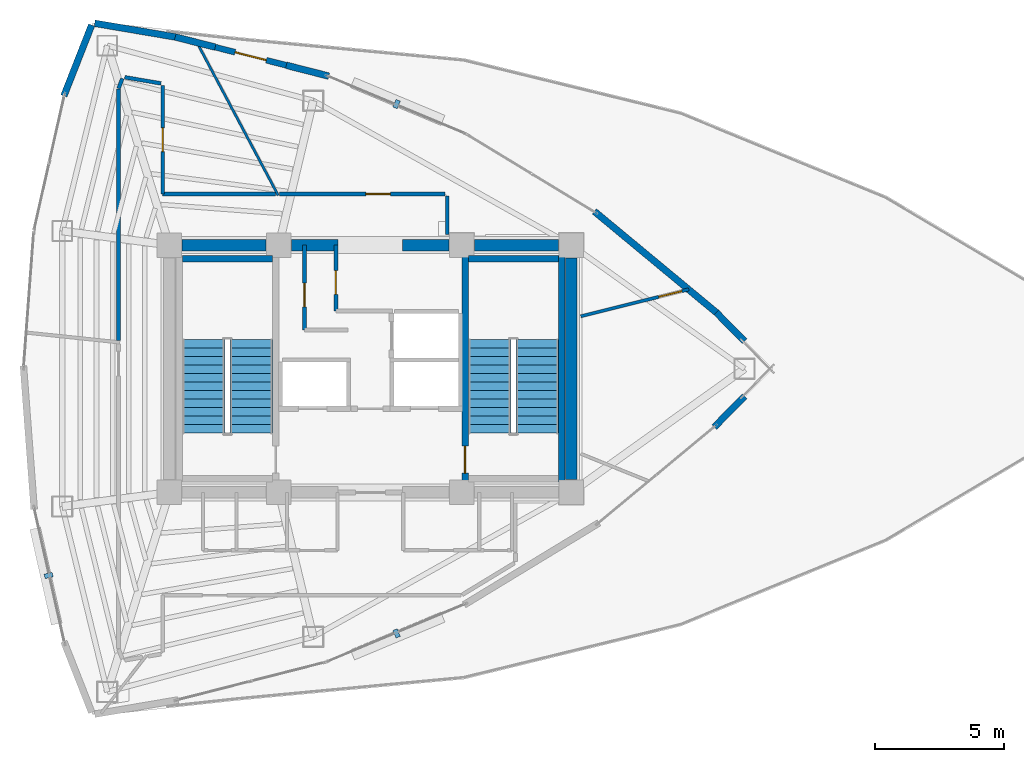
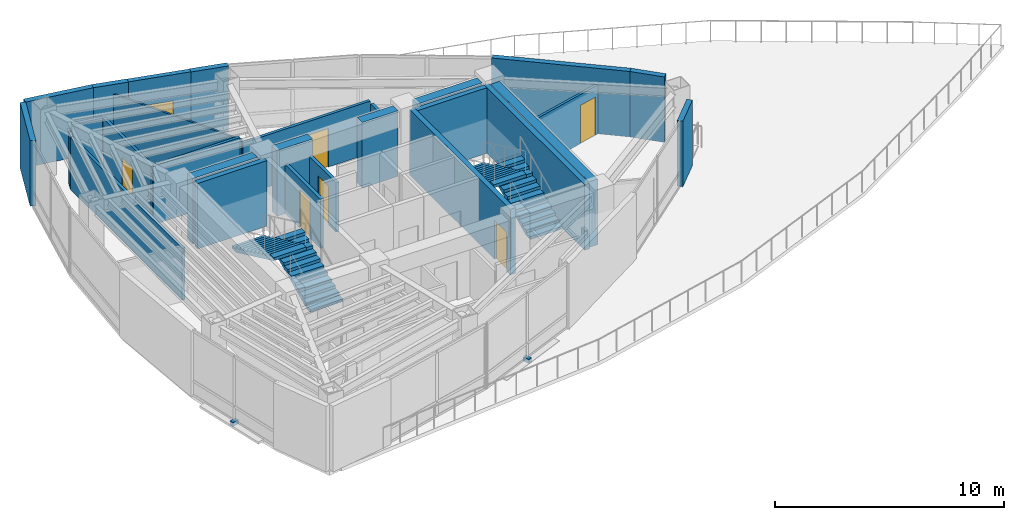
# One storey, part 13 of 16: 28 walls, 7 doors, 4 stair flights, 3 discrete accessories, 7 openings, 2 elements without a shape of their own.
"""IFC4 building model written with IfcOpenShell, lengths in metres."""

from ifc_helpers import new_model, si_unit, direction, frame, frame_2d, origin, origin_2d, place, context, subcontext, project, spatial, polyline, rectangle, outline, extrude, material, layer, layer_set, type_object, element, fill, aggregate, save


model = new_model("IFC4")

# Units and contexts
model_context = context("Model", 3, precision=1e-05, world=origin(), true_north=direction((0.0, 1.0)))
body_context = subcontext(model_context, "Body", "Model", "MODEL_VIEW")
ifc_project = project(units=[si_unit("LENGTHUNIT", "METRE"), si_unit("AREAUNIT", "SQUARE_METRE"), si_unit("VOLUMEUNIT", "CUBIC_METRE"), si_unit("PLANEANGLEUNIT", "RADIAN"), si_unit("MASSUNIT", "GRAM", prefix="KILO")], contexts=[model_context])

# Site, building, storey
site_placement = place(None, origin())
site = spatial("IfcSite", under=ifc_project, at=site_placement, CompositionType="ELEMENT")
building_placement = place(site_placement, origin())
building = spatial("IfcBuilding", under=site, at=building_placement, Name="Menara Vayukalpa", CompositionType="ELEMENT")
storey_placement = place(building_placement, frame((0.0, 0.0, 247.139892578125)))
storey = spatial("IfcBuildingStorey", under=building, at=storey_placement, Name="L62", CompositionType="ELEMENT", Elevation=247.139892578125)

# Walls
ifc_material_1 = material(Name="Concrete C50/60", Category="concrete")
ifc_layer_1 = layer(ifc_material_1, 0.449951171875)
ifc_layer_set_1 = layer_set([ifc_layer_1], Name="Concrete C50/60")
wall_type_1 = type_object("IfcWallType", Name="WAL-CW450", PredefinedType="SHEAR", material=ifc_layer_set_1)
wall_1_placement = place(storey_placement, frame((18.294921875, 26.800048828125, 0.0), z_axis=(0.0, 0.0, 1.0), x_axis=(1.0, 0.0, 0.0)))
element("IfcWall", 1, at=wall_1_placement, inside=storey, type_object=wall_type_1, Name="L62 Buttressed Core Shear Wall CWN1", PredefinedType="SHEAR", context=body_context, shape_type="SweptSolid", body=[
    extrude(rectangle(XDim=3.260009765625, YDim=0.449951171875, at=frame_2d((1.6298828125, 0.0))), origin(), (0.0, 0.0, 1.0), 3.5),
])
wall_2_placement = place(storey_placement, frame((22.544921875, 26.800048828125, 0.0), z_axis=(0.0, 0.0, 1.0), x_axis=(1.0, 0.0, 0.0)))
element("IfcWall", 2, at=wall_2_placement, inside=storey, type_object=wall_type_1, Name="L62 Buttressed Core Shear Wall CWN2", PredefinedType="SHEAR", context=body_context, shape_type="SweptSolid", body=[
    extrude(rectangle(XDim=1.80517578125, YDim=0.449951171875, at=frame_2d((0.902587890625, 0.0))), origin(), (0.0, 0.0, 1.0), 3.5),
])
wall_3_placement = place(storey_placement, frame((26.85009765625, 26.800048828125, 0.0), z_axis=(0.0, 0.0, 1.0), x_axis=(1.0, 0.0, 0.0)))
element("IfcWall", 3, at=wall_3_placement, inside=storey, type_object=wall_type_1, Name="L62 Buttressed Core Shear Wall CWN3", PredefinedType="SHEAR", context=body_context, shape_type="SweptSolid", body=[
    extrude(rectangle(XDim=1.804931640625, YDim=0.449951171875, at=frame_2d((0.90234375, 0.0))), origin(), (0.0, 0.0, 1.0), 3.5),
])
wall_4_placement = place(storey_placement, frame((29.64501953125, 26.800048828125, 0.0), z_axis=(0.0, 0.0, 1.0), x_axis=(1.0, 0.0, 0.0)))
element("IfcWall", 4, at=wall_4_placement, inside=storey, type_object=wall_type_1, Name="L62 Buttressed Core Shear Wall CWN4", PredefinedType="SHEAR", context=body_context, shape_type="SweptSolid", body=[
    extrude(rectangle(XDim=3.260009765625, YDim=0.449951171875, at=frame_2d((1.6298828125, 0.0))), origin(), (0.0, 0.0, 1.0), 3.5),
])
wall_5_placement = place(storey_placement, frame((33.39990234375, 17.695068359375, 0.0), z_axis=(0.0, 0.0, 1.0), x_axis=(0.0, 1.0, 0.0)))
element("IfcWall", 5, at=wall_5_placement, inside=storey, type_object=wall_type_1, Name="L62 Buttressed Core Shear Wall CWE1", PredefinedType="SHEAR", context=body_context, shape_type="SweptSolid", body=[
    extrude(rectangle(XDim=8.60986328125, YDim=0.449951171875, at=frame_2d((4.304931640625, 0.0))), origin(), (0.0, 0.0, 1.0), 3.5),
])

# Wall, opening, door
ifc_material_2 = material(Name="Insulated Precast Concrete C40/50", Category="concrete")
ifc_layer_2 = layer(ifc_material_2, 0.22998046875)
ifc_layer_set_2 = layer_set([ifc_layer_2], Name="Insulated Precast Concrete C40/50")
wall_type_2 = type_object("IfcWallType", Name="WAL-EXT230", PredefinedType="PARTITIONING", material=ifc_layer_set_2)
wall_6_placement = place(storey_placement, frame((19.564208984375, 34.486083984375, 0.0), z_axis=(0.0, 0.0, 1.0), x_axis=(0.968966245317, -0.247193073198, 0.0)))
wall_6 = element("IfcWall", 6, at=wall_6_placement, inside=storey, type_object=wall_type_2, Name="L62 Sky Terrace Access Wall", PredefinedType="PARTITIONING", context=body_context, shape_type="SweptSolid", body=[
    extrude(rectangle(XDim=2.8720703125, YDim=0.22998046875, at=frame_2d((1.43603515625, 0.0))), origin(), (0.0, 0.0, 1.0), 3.5),
])
opening_1_placement = place(wall_6_placement, frame((0.81103515625, 0.0, 0.0)))
opening_1 = element("IfcOpeningElement", 7, at=opening_1_placement, cuts=wall_6, Name="Opening ED3", PredefinedType="OPENING", context=body_context, shape_type="SweptSolid", body=[
    extrude(rectangle(XDim=1.25, YDim=2.10009765625, at=frame_2d((0.625, 1.050048828125))), frame((0.0, 0.125, 0.0), z_axis=(0.0, -1.0, 0.0), x_axis=(1.0, 0.0, 0.0)), (0.0, 0.0, 1.0), 0.25),
])
ifc_material_3 = material(Name="Thermally Broken Aluminium Terrace Door", Category="aluminium")
door_type_1 = type_object("IfcDoorType", Name="DR-EX125", OperationType="NOTDEFINED", PredefinedType="DOOR", material=ifc_material_3)
door_1_placement = place(opening_1_placement, origin())
door_1 = element("IfcDoor", 8, at=door_1_placement, inside=storey, type_object=door_type_1, Name="L62 Outdoor Sky Terrace Access Door", OperationType="SINGLE_SWING_RIGHT", OverallHeight=2.10009765625, OverallWidth=1.25, PredefinedType="DOOR", context=body_context, shape_type="SweptSolid", body=[
    extrude(rectangle(XDim=1.25, YDim=2.10009765625, at=frame_2d((0.625, 1.050048828125))), frame((0.0, 0.02490234375, 0.0), z_axis=(0.0, -1.0, 0.0), x_axis=(1.0, 0.0, 0.0)), (0.0, 0.0, 1.0), 0.050048828125),
])
fill(opening_1, door_1)

# Walls
ifc_material_4 = material(Name="Insulated Precast Concrete C40/50", Category="concrete")
ifc_layer_3 = layer(ifc_material_4, 0.260009765625)
ifc_layer_set_3 = layer_set([ifc_layer_3], Name="Insulated Precast Concrete C40/50")
wall_type_3 = type_object("IfcWallType", Name="WAL-EXT260", PredefinedType="PARTITIONING", material=ifc_layer_set_3)
wall_7_placement = place(storey_placement, frame((40.1240234375, 20.932861328125, 0.0), z_axis=(0.0, 0.0, 1.0), x_axis=(-0.700517209169, -0.713635508966, 0.0)))
element("IfcWall", 9, at=wall_7_placement, inside=storey, type_object=wall_type_3, Name="L62 Perimeter Terracotta Pier Wall 01", PredefinedType="PARTITIONING", context=body_context, shape_type="SweptSolid", body=[
    extrude(rectangle(XDim=1.675048828125, YDim=0.260009765625, at=frame_2d((0.83740234375, 0.0))), origin(), (0.0, 0.0, 1.0), 3.5),
])
wall_8_placement = place(storey_placement, frame((39.023681640625, 24.188232421875, 0.0), z_axis=(0.0, 0.0, 1.0), x_axis=(0.700470648387, -0.71368121087, 0.0)))
element("IfcWall", 10, at=wall_8_placement, inside=storey, type_object=wall_type_3, Name="L62 Perimeter Terracotta Pier Wall 02", PredefinedType="PARTITIONING", context=body_context, shape_type="SweptSolid", body=[
    extrude(rectangle(XDim=1.57080078125, YDim=0.260009765625, at=frame_2d((0.785400390625, 0.0))), origin(), (0.0, 0.0, 1.0), 3.5),
])
wall_9_placement = place(storey_placement, frame((34.295166015625, 28.1083984375, 0.0), z_axis=(0.0, 0.0, 1.0), x_axis=(0.769779830138, -0.638309496337, 0.0)))
element("IfcWall", 11, at=wall_9_placement, inside=storey, type_object=wall_type_3, Name="L62 Perimeter Terracotta Pier Wall 03", PredefinedType="PARTITIONING", context=body_context, shape_type="SweptSolid", body=[
    extrude(rectangle(XDim=6.154052734375, YDim=0.260009765625, at=frame_2d((3.0771484375, 0.0))), origin(), (0.0, 0.0, 1.0), 3.5),
])
wall_10_placement = place(storey_placement, frame((22.33544921875, 33.779296875, 0.0), z_axis=(0.0, 0.0, 1.0), x_axis=(0.968986308148, -0.247114416055, 0.0)))
element("IfcWall", 12, at=wall_10_placement, inside=storey, type_object=wall_type_3, Name="L62 Perimeter Terracotta Pier Wall 06", PredefinedType="PARTITIONING", context=body_context, shape_type="SweptSolid", body=[
    extrude(rectangle(XDim=1.705322265625, YDim=0.260009765625, at=frame_2d((0.8525390625, 0.0))), origin(), (0.0, 0.0, 1.0), 3.5),
])
wall_11_placement = place(storey_placement, frame((18.0244140625, 34.878662109375, 0.0), z_axis=(0.0, 0.0, 1.0), x_axis=(0.968974449895, -0.247160910036, 0.0)))
element("IfcWall", 13, at=wall_11_placement, inside=storey, type_object=wall_type_3, Name="L62 Perimeter Terracotta Pier Wall 07", PredefinedType="PARTITIONING", context=body_context, shape_type="SweptSolid", body=[
    extrude(rectangle(XDim=1.60107421875, YDim=0.260009765625, at=frame_2d((0.800537109375, 0.0))), origin(), (0.0, 0.0, 1.0), 3.5),
])
wall_12_placement = place(storey_placement, frame((14.900146484375, 35.40869140625, 0.0), z_axis=(0.0, 0.0, 1.0), x_axis=(0.985889432766, -0.167397808709, 0.0)))
element("IfcWall", 14, at=wall_12_placement, inside=storey, type_object=wall_type_3, Name="L62 Perimeter Terracotta Pier Wall 08", PredefinedType="PARTITIONING", context=body_context, shape_type="SweptSolid", body=[
    extrude(rectangle(XDim=3.180908203125, YDim=0.260009765625, at=frame_2d((1.59033203125, 0.0))), origin(), (0.0, 0.0, 1.0), 3.5),
])
wall_13_placement = place(storey_placement, frame((13.701904296875, 32.5908203125, 0.0), z_axis=(0.0, 0.0, 1.0), x_axis=(0.365529693114, 0.930799679551, 0.0)))
element("IfcWall", 15, at=wall_13_placement, inside=storey, type_object=wall_type_3, Name="L62 Perimeter Terracotta Pier Wall 09", PredefinedType="PARTITIONING", context=body_context, shape_type="SweptSolid", body=[
    extrude(rectangle(XDim=2.95556640625, YDim=0.260009765625, at=frame_2d((1.477783203125, 0.0))), origin(), (0.0, 0.0, 1.0), 3.5),
])

# Wall, opening, door
ifc_material_5 = material(Name="Lightweight Concrete Blockwork C16/20", Category="masonry")
ifc_layer_4 = layer(ifc_material_5, 0.159912109375)
ifc_layer_set_4 = layer_set([ifc_layer_4], Name="Lightweight Concrete Blockwork C16/20")
wall_type_4 = type_object("IfcWallType", Name="WAL-FR150", PredefinedType="PARTITIONING", material=ifc_layer_set_4)
wall_14_placement = place(storey_placement, frame((23.0400390625, 23.5, 0.0), z_axis=(0.0, 0.0, 1.0), x_axis=(0.0, 1.0, 0.0)))
wall_14 = element("IfcWall", 16, at=wall_14_placement, inside=storey, type_object=wall_type_4, Name="L62 Interior Partition IW-L62-LV7WB", PredefinedType="PARTITIONING", context=body_context, shape_type="SweptSolid", body=[
    extrude(rectangle(XDim=3.300048828125, YDim=0.159912109375, at=frame_2d((1.64990234375, 0.0))), origin(), (0.0, 0.0, 1.0), 2.630126953125),
])
opening_2_placement = place(wall_14_placement, frame((0.89990234375, 0.0, 0.0)))
opening_2 = element("IfcOpeningElement", 17, at=opening_2_placement, cuts=wall_14, Name="Opening ID6", PredefinedType="OPENING", context=body_context, shape_type="SweptSolid", body=[
    extrude(rectangle(XDim=0.919921875, YDim=2.050048828125, at=frame_2d((0.4599609375, 1.02490234375))), frame((0.0, 0.08984375, 0.0), z_axis=(0.0, -1.0, 0.0), x_axis=(1.0, 0.0, 0.0)), (0.0, 0.0, 1.0), 0.179931640625),
])
ifc_material_6 = material(Name="Acoustic Hardwood Veneer Timber Door", Category="wood")
door_type_2 = type_object("IfcDoorType", Name="DR-INT92", OperationType="NOTDEFINED", PredefinedType="DOOR", material=ifc_material_6)
door_2_placement = place(opening_2_placement, origin())
door_2 = element("IfcDoor", 18, at=door_2_placement, inside=storey, type_object=door_type_2, Name="L62 Interior Door DR-L62-LV7W", OperationType="SINGLE_SWING_RIGHT", OverallHeight=2.050048828125, OverallWidth=0.919921875, PredefinedType="DOOR", context=body_context, shape_type="SweptSolid", body=[
    extrude(rectangle(XDim=0.919921875, YDim=2.050048828125, at=frame_2d((0.4599609375, 1.02490234375))), frame((0.0, 0.02490234375, 0.0), z_axis=(0.0, -1.0, 0.0), x_axis=(1.0, 0.0, 0.0)), (0.0, 0.0, 1.0), 0.050048828125),
])
fill(opening_2, door_2)

wall_15_placement = place(storey_placement, frame((24.260009765625, 24.239990234375, 0.0), z_axis=(0.0, 0.0, 1.0), x_axis=(0.0, 1.0, 0.0)))
wall_15 = element("IfcWall", 19, at=wall_15_placement, inside=storey, type_object=wall_type_4, Name="L62 Interior Partition IW-L62-LV7EB", PredefinedType="PARTITIONING", context=body_context, shape_type="SweptSolid", body=[
    extrude(rectangle(XDim=2.56005859375, YDim=0.159912109375, at=frame_2d((1.280029296875, 0.0))), origin(), (0.0, 0.0, 1.0), 2.630126953125),
])
opening_3_placement = place(wall_15_placement, frame((0.64990234375, 0.0, 0.0)))
opening_3 = element("IfcOpeningElement", 20, at=opening_3_placement, cuts=wall_15, Name="Opening ID6", PredefinedType="OPENING", context=body_context, shape_type="SweptSolid", body=[
    extrude(rectangle(XDim=0.919921875, YDim=2.050048828125, at=frame_2d((0.4599609375, 1.02490234375))), frame((0.0, 0.08984375, 0.0), z_axis=(0.0, -1.0, 0.0), x_axis=(1.0, 0.0, 0.0)), (0.0, 0.0, 1.0), 0.179931640625),
])
door_3_placement = place(opening_3_placement, origin())
door_3 = element("IfcDoor", 21, at=door_3_placement, inside=storey, type_object=door_type_2, Name="L62 Interior Door DR-L62-LV7E", OperationType="SINGLE_SWING_LEFT", OverallHeight=2.050048828125, OverallWidth=0.919921875, PredefinedType="DOOR", context=body_context, shape_type="SweptSolid", body=[
    extrude(rectangle(XDim=0.919921875, YDim=2.050048828125, at=frame_2d((0.4599609375, 1.02490234375))), frame((0.0, 0.02490234375, 0.0), z_axis=(0.0, -1.0, 0.0), x_axis=(1.0, 0.0, 0.0)), (0.0, 0.0, 1.0), 0.050048828125),
])
fill(opening_3, door_3)

# Wall
ifc_material_7 = material(Name="Glazed Demountable Office Partition", Category="glass")
ifc_layer_5 = layer(ifc_material_7, 0.094970703125)
ifc_layer_set_5 = layer_set([ifc_layer_5], Name="Glazed Demountable Office Partition")
wall_type_5 = type_object("IfcWallType", Name="WAL-PT100", PredefinedType="PARTITIONING", material=ifc_layer_set_5)
wall_16_placement = place(storey_placement, frame((22.021484375, 28.72998046875, 0.0), z_axis=(0.0, 0.0, 1.0), x_axis=(-0.469464454367, 0.882951372435, 0.0)))
element("IfcWall", 22, at=wall_16_placement, inside=storey, type_object=wall_type_5, Name="L62 Interior Partition IW-L62-RDIV02", PredefinedType="PARTITIONING", context=body_context, shape_type="SweptSolid", body=[
    extrude(rectangle(XDim=6.73388671875, YDim=0.094970703125, at=frame_2d((3.366943359375, 0.0))), origin(), (0.0, 0.0, 1.0), 2.980224609375),
])

# Wall, opening, door
ifc_material_8 = material(Name="Gypsum Drywall Steel Stud Assembly", Category="steel")
ifc_layer_6 = layer(ifc_material_8, 0.125)
ifc_layer_set_6 = layer_set([ifc_layer_6], Name="Gypsum Drywall Steel Stud Assembly")
wall_type_6 = type_object("IfcWallType", Name="WAL-PT125", PredefinedType="PARTITIONING", material=ifc_layer_set_6)
wall_17_placement = place(storey_placement, frame((33.77001953125, 24.037109375, 0.0), z_axis=(0.0, 0.0, 1.0), x_axis=(0.970305215228, 0.241883834312, 0.0)))
wall_17 = element("IfcWall", 23, at=wall_17_placement, inside=storey, type_object=wall_type_6, Name="L62 Interior Partition IW-L62-RDIV01", PredefinedType="PARTITIONING", context=body_context, shape_type="SweptSolid", body=[
    extrude(rectangle(XDim=4.31884765625, YDim=0.125, at=frame_2d((2.159423828125, 0.0))), origin(), (0.0, 0.0, 1.0), 2.630126953125),
])
opening_4_placement = place(wall_17_placement, frame((3.118896484375, 0.0, 0.0)))
opening_4 = element("IfcOpeningElement", 24, at=opening_4_placement, cuts=wall_17, Name="Opening ID6", PredefinedType="OPENING", context=body_context, shape_type="SweptSolid", body=[
    extrude(rectangle(XDim=0.919921875, YDim=2.050048828125, at=frame_2d((0.4599609375, 1.02490234375))), frame((0.0, 0.072509765625, 0.0), z_axis=(0.0, -1.0, 0.0), x_axis=(1.0, 0.0, 0.0)), (0.0, 0.0, 1.0), 0.14501953125),
])
door_4_placement = place(opening_4_placement, origin())
door_4 = element("IfcDoor", 25, at=door_4_placement, inside=storey, type_object=door_type_2, Name="L62 Interior Door DR-L62-STE04", OperationType="SINGLE_SWING_LEFT", OverallHeight=2.050048828125, OverallWidth=0.919921875, PredefinedType="DOOR", context=body_context, shape_type="SweptSolid", body=[
    extrude(rectangle(XDim=0.919921875, YDim=2.050048828125, at=frame_2d((0.4599609375, 1.02490234375))), frame((0.0, 0.02490234375, 0.0), z_axis=(0.0, -1.0, 0.0), x_axis=(1.0, 0.0, 0.0)), (0.0, 0.0, 1.0), 0.050048828125),
])
fill(opening_4, door_4)

# Wall
ifc_material_9 = material(Name="Gypsum Drywall Acoustic Stud Assembly", Category="masonry")
ifc_layer_7 = layer(ifc_material_9, 0.14501953125)
ifc_layer_set_7 = layer_set([ifc_layer_7], Name="Gypsum Drywall Acoustic Stud Assembly")
wall_type_7 = type_object("IfcWallType", Name="WAL-PT150", PredefinedType="PARTITIONING", material=ifc_layer_set_7)
wall_18_placement = place(storey_placement, frame((28.580078125, 27.219970703125, 0.0), z_axis=(0.0, 0.0, 1.0), x_axis=(0.0, 1.0, 0.0)))
element("IfcWall", 26, at=wall_18_placement, inside=storey, type_object=wall_type_7, Name="L62 Interior Partition IW-L62-CRM05-1", PredefinedType="PARTITIONING", context=body_context, shape_type="SweptSolid", body=[
    extrude(rectangle(XDim=1.47998046875, YDim=0.14501953125, at=frame_2d((0.739990234375, 0.0))), origin(), (0.0, 0.0, 1.0), 2.630126953125),
])

# Wall, opening, door
wall_19_placement = place(storey_placement, frame((28.5, 28.780029296875, 0.0), z_axis=(0.0, 0.0, 1.0), x_axis=(-1.0, 0.0, 0.0)))
wall_19 = element("IfcWall", 27, at=wall_19_placement, inside=storey, type_object=wall_type_7, Name="L62 Interior Partition IW-L62-CRM05-2", PredefinedType="PARTITIONING", context=body_context, shape_type="SweptSolid", body=[
    extrude(rectangle(XDim=6.42578125, YDim=0.14501953125, at=frame_2d((3.212890625, 0.0))), origin(), (0.0, 0.0, 1.0), 2.780029296875),
])
opening_5_placement = place(wall_19_placement, frame((2.123291015625, 0.0, 0.0)))
opening_5 = element("IfcOpeningElement", 28, at=opening_5_placement, cuts=wall_19, Name="Opening ID5", PredefinedType="OPENING", context=body_context, shape_type="SweptSolid", body=[
    extrude(rectangle(XDim=0.949951171875, YDim=2.06005859375, at=frame_2d((0.47509765625, 1.030029296875))), frame((0.0, 0.08251953125, 0.0), z_axis=(0.0, -1.0, 0.0), x_axis=(1.0, 0.0, 0.0)), (0.0, 0.0, 1.0), 0.1650390625),
])
ifc_material_10 = material(Name="Acoustic Hardwood Veneer Timber Door", Category="wood")
door_type_3 = type_object("IfcDoorType", Name="DR-INT95", OperationType="NOTDEFINED", PredefinedType="DOOR", material=ifc_material_10)
door_5_placement = place(opening_5_placement, origin())
door_5 = element("IfcDoor", 29, at=door_5_placement, inside=storey, type_object=door_type_3, Name="L62 Interior Door DR-L62-RM05", OperationType="SINGLE_SWING_LEFT", OverallHeight=2.06005859375, OverallWidth=0.949951171875, PredefinedType="DOOR", context=body_context, shape_type="SweptSolid", body=[
    extrude(rectangle(XDim=0.949951171875, YDim=2.06005859375, at=frame_2d((0.47509765625, 1.030029296875))), frame((0.0, 0.02490234375, 0.0), z_axis=(0.0, -1.0, 0.0), x_axis=(1.0, 0.0, 0.0)), (0.0, 0.0, 1.0), 0.050048828125),
])
fill(opening_5, door_5)

# Wall
wall_20_placement = place(storey_placement, frame((21.915771484375, 28.780029296875, 0.0), z_axis=(0.0, 0.0, 1.0), x_axis=(-1.0, 0.0, 0.0)))
element("IfcWall", 30, at=wall_20_placement, inside=storey, type_object=wall_type_7, Name="L62 Interior Partition IW-L62-CRM06-1", PredefinedType="PARTITIONING", context=body_context, shape_type="SweptSolid", body=[
    extrude(rectangle(XDim=4.375732421875, YDim=0.14501953125, at=frame_2d((2.18798828125, 0.0))), origin(), (0.0, 0.0, 1.0), 3.130126953125),
])

# Wall, opening, door
wall_21_placement = place(storey_placement, frame((17.5400390625, 28.780029296875, 0.0), z_axis=(0.0, 0.0, 1.0), x_axis=(0.0, 1.0, 0.0)))
wall_21 = element("IfcWall", 31, at=wall_21_placement, inside=storey, type_object=wall_type_7, Name="L62 Interior Partition IW-L62-CRM06-2", PredefinedType="PARTITIONING", context=body_context, shape_type="SweptSolid", body=[
    extrude(rectangle(XDim=4.216064453125, YDim=0.14501953125, at=frame_2d((2.10791015625, 0.0))), origin(), (0.0, 0.0, 1.0), 3.130126953125),
])
opening_6_placement = place(wall_21_placement, frame((1.64794921875, 0.0, 0.0)))
opening_6 = element("IfcOpeningElement", 32, at=opening_6_placement, cuts=wall_21, Name="Opening ID6", PredefinedType="OPENING", context=body_context, shape_type="SweptSolid", body=[
    extrude(rectangle(XDim=0.919921875, YDim=2.050048828125, at=frame_2d((0.4599609375, 1.02490234375))), frame((0.0, 0.08251953125, 0.0), z_axis=(0.0, -1.0, 0.0), x_axis=(1.0, 0.0, 0.0)), (0.0, 0.0, 1.0), 0.1650390625),
])
door_6_placement = place(opening_6_placement, origin())
door_6 = element("IfcDoor", 33, at=door_6_placement, inside=storey, type_object=door_type_2, Name="L62 Interior Door DR-L62-RM06", OperationType="SINGLE_SWING_RIGHT", OverallHeight=2.050048828125, OverallWidth=0.919921875, PredefinedType="DOOR", context=body_context, shape_type="SweptSolid", body=[
    extrude(rectangle(XDim=0.919921875, YDim=2.050048828125, at=frame_2d((0.4599609375, 1.02490234375))), frame((0.0, 0.02490234375, 0.0), z_axis=(0.0, -1.0, 0.0), x_axis=(1.0, 0.0, 0.0)), (0.0, 0.0, 1.0), 0.050048828125),
])
fill(opening_6, door_6)

# Walls
wall_22_placement = place(storey_placement, frame((17.473388671875, 33.074951171875, 0.0), z_axis=(0.0, 0.0, 1.0), x_axis=(-0.985881780308, 0.167442871621, 0.0)))
element("IfcWall", 34, at=wall_22_placement, inside=storey, type_object=wall_type_7, Name="L62 Interior Partition IW-L62-CRM06-3", PredefinedType="PARTITIONING", context=body_context, shape_type="SweptSolid", body=[
    extrude(rectangle(XDim=1.430419921875, YDim=0.14501953125, at=frame_2d((0.71533203125, 0.0))), origin(), (0.0, 0.0, 1.0), 3.130126953125),
])
wall_23_placement = place(storey_placement, frame((15.975341796875, 33.2646484375, 0.0), z_axis=(0.0, 0.0, 1.0), x_axis=(-0.365633948196, -0.930758731319, 0.0)))
element("IfcWall", 35, at=wall_23_placement, inside=storey, type_object=wall_type_7, Name="L62 Interior Partition IW-L62-CRM06-4", PredefinedType="PARTITIONING", context=body_context, shape_type="SweptSolid", body=[
    extrude(rectangle(XDim=0.409912109375, YDim=0.14501953125, at=frame_2d((0.205078125, 0.0))), origin(), (0.0, 0.0, 1.0), 2.780029296875),
])
wall_24_placement = place(storey_placement, frame((15.820068359375, 32.853759765625, 0.0), z_axis=(0.0, 0.0, 1.0), x_axis=(0.0, -1.0, 0.0)))
element("IfcWall", 36, at=wall_24_placement, inside=storey, type_object=wall_type_7, Name="L62 Interior Partition IW-L62-CRM06-5", PredefinedType="PARTITIONING", context=body_context, shape_type="SweptSolid", body=[
    extrude(rectangle(XDim=9.75537109375, YDim=0.14501953125, at=frame_2d((4.877685546875, 0.0))), origin(), (0.0, 0.0, 1.0), 2.780029296875),
])
ifc_material_11 = material(Name="Concrete C50/60", Category="concrete")
ifc_layer_8 = layer(ifc_material_11, 0.25)
ifc_layer_set_8 = layer_set([ifc_layer_8], Name="Concrete C50/60")
wall_type_8 = type_object("IfcWallType", Name="WAL-SW250", PredefinedType="SHEAR", material=ifc_layer_set_8)
wall_25_placement = place(storey_placement, frame((18.300048828125, 26.27490234375, 0.0), z_axis=(0.0, 0.0, 1.0), x_axis=(1.0, 0.0, 0.0)))
element("IfcWall", 37, at=wall_25_placement, inside=storey, type_object=wall_type_8, Name="L62 ST1 Structural Stair Shaft Wall N", PredefinedType="SHEAR", context=body_context, shape_type="SweptSolid", body=[
    extrude(rectangle(XDim=3.5, YDim=0.25, at=frame_2d((1.75, 0.0))), origin(), (0.0, 0.0, 1.0), 3.5),
])

# Wall, opening, door
wall_26_placement = place(storey_placement, frame((29.27490234375, 17.60009765625, 0.0), z_axis=(0.0, 0.0, 1.0), x_axis=(0.0, 1.0, 0.0)))
wall_26 = element("IfcWall", 38, at=wall_26_placement, inside=storey, type_object=wall_type_8, Name="L62 ST2 Structural Stair Shaft Wall W", PredefinedType="SHEAR", context=body_context, shape_type="SweptSolid", body=[
    extrude(rectangle(XDim=8.7998046875, YDim=0.25, at=frame_2d((4.39990234375, 0.0))), origin(), (0.0, 0.0, 1.0), 3.5),
])
opening_7_placement = place(wall_26_placement, frame((0.35009765625, 0.0, 0.0)))
opening_7 = element("IfcOpeningElement", 39, at=opening_7_placement, cuts=wall_26, Name="Opening ID1", PredefinedType="OPENING", context=body_context, shape_type="SweptSolid", body=[
    extrude(rectangle(XDim=1.050048828125, YDim=2.080078125, at=frame_2d((0.52490234375, 1.0400390625))), frame((0.0, 0.135009765625, 0.0), z_axis=(0.0, -1.0, 0.0), x_axis=(1.0, 0.0, 0.0)), (0.0, 0.0, 1.0), 0.27001953125),
])
ifc_material_12 = material(Name="Fire-Rated Powder-Coated Steel Door", Category="steel")
door_type_4 = type_object("IfcDoorType", Name="DR-FD120", OperationType="NOTDEFINED", PredefinedType="DOOR", material=ifc_material_12)
door_7_placement = place(opening_7_placement, origin())
door_7 = element("IfcDoor", 40, at=door_7_placement, inside=storey, type_object=door_type_4, Name="L62 Stair Exit Door DR-L62-ST2", OperationType="SINGLE_SWING_RIGHT", OverallHeight=2.080078125, OverallWidth=1.050048828125, PredefinedType="DOOR", context=body_context, shape_type="SweptSolid", body=[
    extrude(rectangle(XDim=1.050048828125, YDim=2.080078125, at=frame_2d((0.52490234375, 1.0400390625))), frame((0.0, 0.02490234375, 0.0), z_axis=(0.0, -1.0, 0.0), x_axis=(1.0, 0.0, 0.0)), (0.0, 0.0, 1.0), 0.050048828125),
])
fill(opening_7, door_7)

# Walls
wall_27_placement = place(storey_placement, frame((33.02490234375, 17.60009765625, 0.0), z_axis=(0.0, 0.0, 1.0), x_axis=(0.0, 1.0, 0.0)))
element("IfcWall", 41, at=wall_27_placement, inside=storey, type_object=wall_type_8, Name="L62 ST2 Structural Stair Shaft Wall E", PredefinedType="SHEAR", context=body_context, shape_type="SweptSolid", body=[
    extrude(rectangle(XDim=8.7998046875, YDim=0.25, at=frame_2d((4.39990234375, 0.0))), origin(), (0.0, 0.0, 1.0), 3.5),
])
wall_28_placement = place(storey_placement, frame((29.39990234375, 26.27490234375, 0.0), z_axis=(0.0, 0.0, 1.0), x_axis=(1.0, 0.0, 0.0)))
element("IfcWall", 42, at=wall_28_placement, inside=storey, type_object=wall_type_8, Name="L62 ST2 Structural Stair Shaft Wall N", PredefinedType="SHEAR", context=body_context, shape_type="SweptSolid", body=[
    extrude(rectangle(XDim=3.5, YDim=0.25, at=frame_2d((1.75, 0.0))), origin(), (0.0, 0.0, 1.0), 3.5),
])

# Stair, stair flights
ifc_material_13 = material(Name="Precast Concrete C40/50", Category="concrete")
stair_type = type_object("IfcStairType", Name="STR-T04", PredefinedType="DOUBLE_RETURN_STAIR", material=ifc_material_13)
stair_1_placement = place(storey_placement, origin())
stair_1 = element("IfcStair", 43, at=stair_1_placement, inside=storey, type_object=stair_type, Name="L62 Core Exit Stair ST-1", PredefinedType="DOUBLE_RETURN_STAIR")
ifc_material_14 = material(Name="Precast Concrete C40/50", Category="concrete")
stair_flight_type = type_object("IfcStairFlightType", Name="STF-T04", PredefinedType="STRAIGHT", material=ifc_material_14)
stair_flight_1_placement = place(storey_placement, frame((20.97509765625, 19.5, 0.0), z_axis=(0.0, 0.0, 1.0), x_axis=(0.0, 1.0, 0.0)))
stair_flight_1 = element("IfcStairFlight", 44, at=stair_flight_1_placement, type_object=stair_flight_type, Name="ST-1 flight 1", NumberOfRisers=12, NumberOfTreads=11, PredefinedType="STRAIGHT", RiserHeight=0.155, TreadLength=0.33, context=body_context, shape_type="SweptSolid", body=[
    extrude(outline(polyline([(0.0, 0.0), (0.0, 0.155029296875), (0.330078125, 0.155029296875), (0.330078125, 0.31005859375), (0.659912109375, 0.31005859375), (0.659912109375, 0.465087890625), (0.989990234375, 0.465087890625), (0.989990234375, 0.6201171875), (1.320068359375, 0.6201171875), (1.320068359375, 0.77490234375), (1.64990234375, 0.77490234375), (1.64990234375, 0.929931640625), (1.97998046875, 0.929931640625), (1.97998046875, 1.0849609375), (2.31005859375, 1.0849609375), (2.31005859375, 1.239990234375), (2.639892578125, 1.239990234375), (2.639892578125, 1.39501953125), (2.969970703125, 1.39501953125), (2.969970703125, 1.550048828125), (3.300048828125, 1.550048828125), (3.300048828125, 1.705078125), (3.6298828125, 1.705078125), (3.6298828125, 1.860107421875), (3.6298828125, 1.539306640625), (0.3525390625, 0.0), (0.0, 0.0)])), frame((0.0, 0.824951171875, 0.0), z_axis=(0.0, -1.0, 0.0), x_axis=(1.0, 0.0, 0.0)), (0.0, 0.0, 1.0), 1.64990234375),
])
stair_flight_2_placement = place(storey_placement, frame((19.125, 23.1298828125, 1.860107421875), z_axis=(0.0, 0.0, 1.0), x_axis=(0.0, -1.0, 0.0)))
stair_flight_2 = element("IfcStairFlight", 45, at=stair_flight_2_placement, type_object=stair_flight_type, Name="ST-1 flight 2", NumberOfRisers=12, NumberOfTreads=11, PredefinedType="STRAIGHT", RiserHeight=0.155, TreadLength=0.33, context=body_context, shape_type="SweptSolid", body=[
    extrude(outline(polyline([(0.0, 0.0), (0.0, 0.155029296875), (0.330078125, 0.155029296875), (0.330078125, 0.31005859375), (0.659912109375, 0.31005859375), (0.659912109375, 0.465087890625), (0.989990234375, 0.465087890625), (0.989990234375, 0.6201171875), (1.320068359375, 0.6201171875), (1.320068359375, 0.77490234375), (1.64990234375, 0.77490234375), (1.64990234375, 0.929931640625), (1.97998046875, 0.929931640625), (1.97998046875, 1.0849609375), (2.31005859375, 1.0849609375), (2.31005859375, 1.239990234375), (2.639892578125, 1.239990234375), (2.639892578125, 1.39501953125), (2.969970703125, 1.39501953125), (2.969970703125, 1.550048828125), (3.300048828125, 1.550048828125), (3.300048828125, 1.705078125), (3.6298828125, 1.705078125), (3.6298828125, 1.860107421875), (3.6298828125, 1.539306640625), (0.3525390625, 0.0), (0.0, 0.0)])), frame((0.0, 0.824951171875, 0.0), z_axis=(0.0, -1.0, 0.0), x_axis=(1.0, 0.0, 0.0)), (0.0, 0.0, 1.0), 1.64990234375),
])
aggregate(stair_1, [stair_flight_1, stair_flight_2])

stair_2_placement = place(storey_placement, origin())
stair_2 = element("IfcStair", 46, at=stair_2_placement, inside=storey, type_object=stair_type, Name="L62 Core Exit Stair ST-2", PredefinedType="DOUBLE_RETURN_STAIR")
stair_flight_3_placement = place(storey_placement, frame((32.074951171875, 19.5, 0.0), z_axis=(0.0, 0.0, 1.0), x_axis=(0.0, 1.0, 0.0)))
stair_flight_3 = element("IfcStairFlight", 47, at=stair_flight_3_placement, type_object=stair_flight_type, Name="ST-2 flight 1", NumberOfRisers=12, NumberOfTreads=11, PredefinedType="STRAIGHT", RiserHeight=0.155, TreadLength=0.33, context=body_context, shape_type="SweptSolid", body=[
    extrude(outline(polyline([(0.0, 0.0), (0.0, 0.155029296875), (0.330078125, 0.155029296875), (0.330078125, 0.31005859375), (0.659912109375, 0.31005859375), (0.659912109375, 0.465087890625), (0.989990234375, 0.465087890625), (0.989990234375, 0.6201171875), (1.320068359375, 0.6201171875), (1.320068359375, 0.77490234375), (1.64990234375, 0.77490234375), (1.64990234375, 0.929931640625), (1.97998046875, 0.929931640625), (1.97998046875, 1.0849609375), (2.31005859375, 1.0849609375), (2.31005859375, 1.239990234375), (2.639892578125, 1.239990234375), (2.639892578125, 1.39501953125), (2.969970703125, 1.39501953125), (2.969970703125, 1.550048828125), (3.300048828125, 1.550048828125), (3.300048828125, 1.705078125), (3.6298828125, 1.705078125), (3.6298828125, 1.860107421875), (3.6298828125, 1.539306640625), (0.3525390625, 0.0), (0.0, 0.0)])), frame((0.0, 0.824951171875, 0.0), z_axis=(0.0, -1.0, 0.0), x_axis=(1.0, 0.0, 0.0)), (0.0, 0.0, 1.0), 1.64990234375),
])
stair_flight_4_placement = place(storey_placement, frame((30.22509765625, 23.1298828125, 1.860107421875), z_axis=(0.0, 0.0, 1.0), x_axis=(0.0, -1.0, 0.0)))
stair_flight_4 = element("IfcStairFlight", 48, at=stair_flight_4_placement, type_object=stair_flight_type, Name="ST-2 flight 2", NumberOfRisers=12, NumberOfTreads=11, PredefinedType="STRAIGHT", RiserHeight=0.155, TreadLength=0.33, context=body_context, shape_type="SweptSolid", body=[
    extrude(outline(polyline([(0.0, 0.0), (0.0, 0.155029296875), (0.330078125, 0.155029296875), (0.330078125, 0.31005859375), (0.659912109375, 0.31005859375), (0.659912109375, 0.465087890625), (0.989990234375, 0.465087890625), (0.989990234375, 0.6201171875), (1.320068359375, 0.6201171875), (1.320068359375, 0.77490234375), (1.64990234375, 0.77490234375), (1.64990234375, 0.929931640625), (1.97998046875, 0.929931640625), (1.97998046875, 1.0849609375), (2.31005859375, 1.0849609375), (2.31005859375, 1.239990234375), (2.639892578125, 1.239990234375), (2.639892578125, 1.39501953125), (2.969970703125, 1.39501953125), (2.969970703125, 1.550048828125), (3.300048828125, 1.550048828125), (3.300048828125, 1.705078125), (3.6298828125, 1.705078125), (3.6298828125, 1.860107421875), (3.6298828125, 1.539306640625), (0.3525390625, 0.0), (0.0, 0.0)])), frame((0.0, 0.824951171875, 0.0), z_axis=(0.0, -1.0, 0.0), x_axis=(1.0, 0.0, 0.0)), (0.0, 0.0, 1.0), 1.64990234375),
])
aggregate(stair_2, [stair_flight_3, stair_flight_4])

# Discrete accessories
ifc_material_15 = material(Name="Stainless Steel 316 Sunshade Bracket", Category="steel")
discrete_accessory_type = type_object("IfcDiscreteAccessoryType", Name="ACC-BRK1", PredefinedType="BRACKET", material=ifc_material_15)
for number, where, z_axis, x_axis, name in (
    (49, (26.61767578125, 32.272705078125, -0.15966796875), (0.0, 0.0, 1.0), (-0.922538089456, 0.385906042324, 0.0), "L62 Terracotta Sunshade Bracket 05"),
    (50, (13.111083984375, 13.973388671875, -0.15966796875), (0.0, 0.0, 1.0), (0.219522692765, -0.975607394068, 0.0), "L62 Terracotta Sunshade Bracket 13"),
    (51, (26.61767578125, 11.727294921875, -0.15966796875), (0.0, 0.0, 1.0), (0.922538089456, 0.385906042324, 0.0), "L62 Terracotta Sunshade Bracket 17"),
):
    element("IfcDiscreteAccessory", number, at=place(storey_placement, frame(where, z_axis=z_axis, x_axis=x_axis)), inside=storey, type_object=discrete_accessory_type, Name=name, PredefinedType="BRACKET", context=body_context, shape_type="SweptSolid", body=[
        extrude(rectangle(XDim=0.179931640625, YDim=0.320068359375, at=origin_2d()), origin(), (0.0, 0.0, 1.0), 0.219970703125),
    ])

save(model, "model.ifc")
